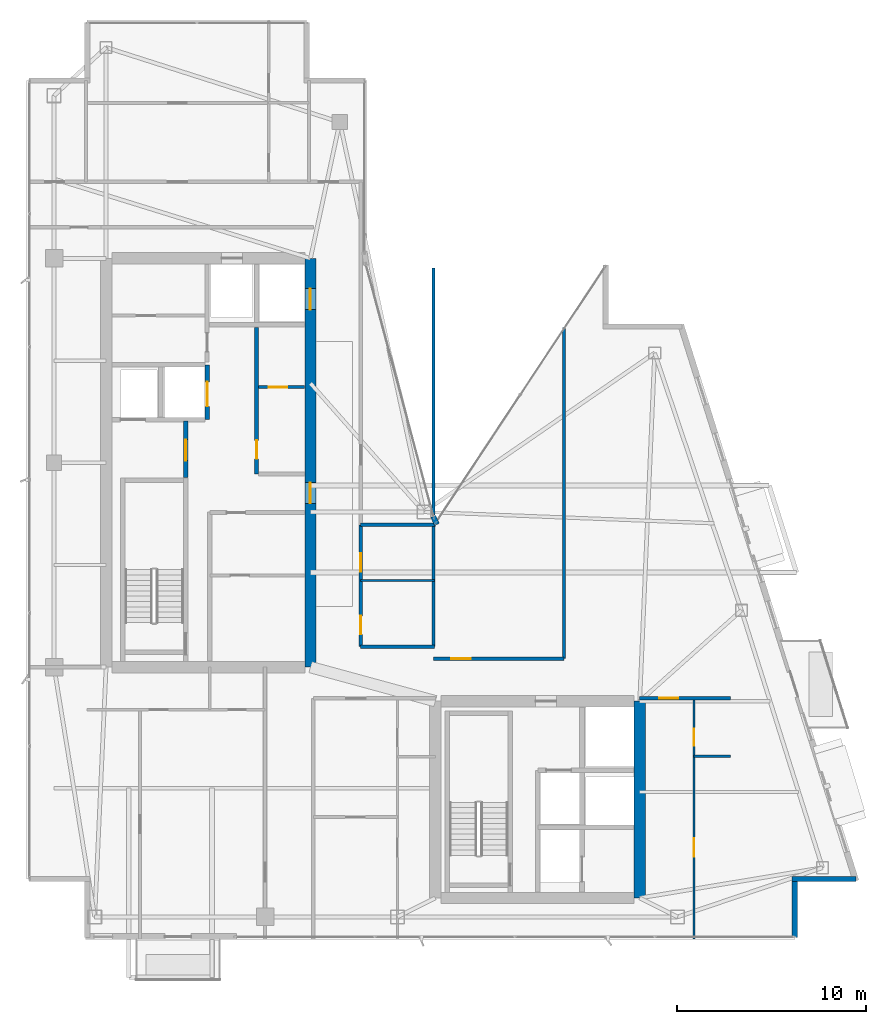
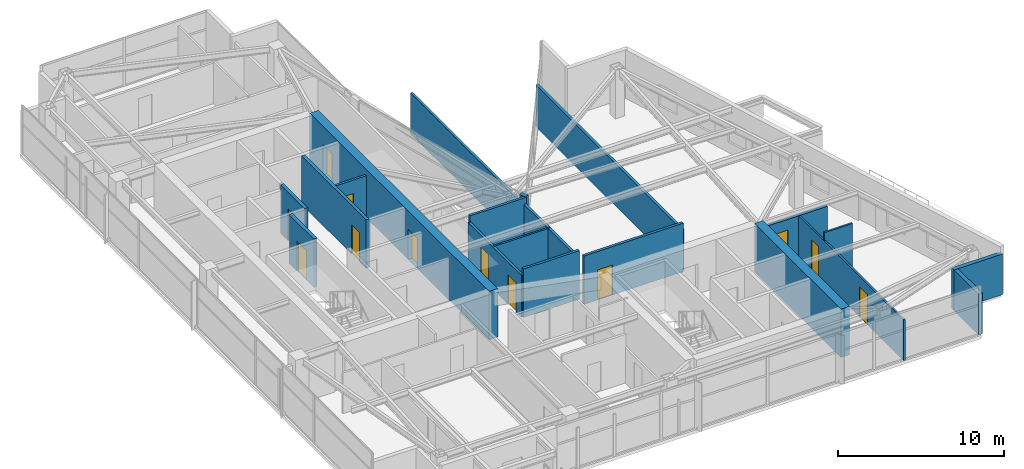
# One storey, part 24 of 28: 20 walls, 12 doors, 12 openings.
"""IFC4 building model written with IfcOpenShell, lengths in metres."""

from ifc_helpers import new_model, si_unit, direction, frame, frame_2d, origin, place, context, subcontext, project, spatial, rectangle, extrude, material, layer, layer_set, type_object, element, fill, save


model = new_model("IFC4")

# Units and contexts
model_context = context("Model", 3, precision=1e-05, world=origin(), true_north=direction((0.0, 1.0)))
body_context = subcontext(model_context, "Body", "Model", "MODEL_VIEW")
ifc_project = project(units=[si_unit("LENGTHUNIT", "METRE"), si_unit("AREAUNIT", "SQUARE_METRE"), si_unit("VOLUMEUNIT", "CUBIC_METRE"), si_unit("PLANEANGLEUNIT", "RADIAN"), si_unit("MASSUNIT", "GRAM", prefix="KILO")], contexts=[model_context])

# Site, building, storey
site_placement = place(None, origin())
site = spatial("IfcSite", under=ifc_project, at=site_placement, CompositionType="ELEMENT")
building_placement = place(site_placement, origin())
building = spatial("IfcBuilding", under=site, at=building_placement, Name="Calvorn Quay Hotel", CompositionType="ELEMENT")
storey_placement = place(building_placement, frame((0.0, 0.0, 274.89990234375)))
storey = spatial("IfcBuildingStorey", under=building, at=storey_placement, Name="L68", CompositionType="ELEMENT", Elevation=274.89990234375)

# Wall, openings, doors
ifc_material_1 = material(Name="Concrete C45", Category="concrete")
ifc_layer_1 = layer(ifc_material_1, 0.60009765625)
ifc_layer_set_1 = layer_set([ifc_layer_1], Name="WL-CORE-600")
wall_type_1 = type_object("IfcWallType", Name="WL-CORE-600", PredefinedType="SHEAR", material=ifc_layer_set_1)
wall_1_placement = place(storey_placement, frame((15.0, 16.800048828125, 0.0), z_axis=(0.0, 0.0, 1.0), x_axis=(0.0, 1.0, 0.0)))
wall_1 = element("IfcWall", 1, at=wall_1_placement, inside=storey, type_object=wall_type_1, Name="West Core Shear Wall E (L68)", PredefinedType="SHEAR", context=body_context, shape_type="SweptSolid", body=[
    extrude(rectangle(XDim=21.599853515625, YDim=0.60009765625, at=frame_2d((10.7998046875, 0.0))), origin(), (0.0, 0.0, 1.0), 3.56005859375),
])
opening_1_placement = place(wall_1_placement, frame((8.64990234375, 0.0, 0.0)))
opening_1 = element("IfcOpeningElement", 2, at=opening_1_placement, cuts=wall_1, Name="Opening D-L68-CW1", PredefinedType="OPENING", context=body_context, shape_type="SweptSolid", body=[
    extrude(rectangle(XDim=1.10009765625, YDim=2.199951171875, at=frame_2d((0.550048828125, 1.10009765625))), frame((0.0, 0.31005859375, 0.0), z_axis=(0.0, -1.0, 0.0), x_axis=(1.0, 0.0, 0.0)), (0.0, 0.0, 1.0), 0.6201171875),
])
opening_2_placement = place(wall_1_placement, frame((18.89990234375, 0.0, 0.0)))
opening_2 = element("IfcOpeningElement", 3, at=opening_2_placement, cuts=wall_1, Name="Opening LD-L68-H1", PredefinedType="OPENING", context=body_context, shape_type="SweptSolid", body=[
    extrude(rectangle(XDim=1.10009765625, YDim=2.199951171875, at=frame_2d((0.550048828125, 1.10009765625))), frame((0.0, 0.31005859375, 0.0), z_axis=(0.0, -1.0, 0.0), x_axis=(1.0, 0.0, 0.0)), (0.0, 0.0, 1.0), 0.6201171875),
])
ifc_material_2 = material(Name="Smoke-Sealed Steel Class A Fire Door", Category="steel")
door_type_1 = type_object("IfcDoorType", Name="DR-FFLOBBY-1100", OperationType="NOTDEFINED", PredefinedType="DOOR", material=ifc_material_2)
door_1_placement = place(opening_1_placement, origin())
door_1 = element("IfcDoor", 4, at=door_1_placement, inside=storey, type_object=door_type_1, Name="West Core Vestibule Fire Door (L68)", OperationType="SINGLE_SWING_LEFT", OverallHeight=2.199951171875, OverallWidth=1.10009765625, PredefinedType="DOOR", context=body_context, shape_type="SweptSolid", body=[
    extrude(rectangle(XDim=1.10009765625, YDim=2.199951171875, at=frame_2d((0.550048828125, 1.10009765625))), frame((0.0, 0.02490234375, 0.0), z_axis=(0.0, -1.0, 0.0), x_axis=(1.0, 0.0, 0.0)), (0.0, 0.0, 1.0), 0.050048828125),
])
fill(opening_1, door_1)
ifc_material_3 = material(Name="Brushed Stainless Steel Sliding Lift Landing Door", Category="steel")
door_type_2 = type_object("IfcDoorType", Name="DR-LIFT-PASS-1100", OperationType="NOTDEFINED", PredefinedType="DOOR", material=ifc_material_3)
door_2_placement = place(opening_2_placement, origin())
door_2 = element("IfcDoor", 5, at=door_2_placement, inside=storey, type_object=door_type_2, Name="High-Rise Lift PL-H1 Landing Door (L68)", OperationType="DOUBLE_DOOR_SLIDING", OverallHeight=2.199951171875, OverallWidth=1.10009765625, PredefinedType="DOOR", context=body_context, shape_type="SweptSolid", body=[
    extrude(rectangle(XDim=1.10009765625, YDim=2.199951171875, at=frame_2d((0.550048828125, 1.10009765625))), frame((0.0, 0.02490234375, 0.0), z_axis=(0.0, -1.0, 0.0), x_axis=(1.0, 0.0, 0.0)), (0.0, 0.0, 1.0), 0.050048828125),
])
fill(opening_2, door_2)

# Walls
wall_2_placement = place(storey_placement, frame((32.39990234375, 4.60009765625, 0.0), z_axis=(0.0, 0.0, 1.0), x_axis=(0.0, 1.0, 0.0)))
element("IfcWall", 6, at=wall_2_placement, inside=storey, type_object=wall_type_1, Name="East Core Shear Wall E (L68)", PredefinedType="SHEAR", context=body_context, shape_type="SweptSolid", body=[
    extrude(rectangle(XDim=10.39990234375, YDim=0.60009765625, at=frame_2d((5.199951171875, 0.0))), origin(), (0.0, 0.0, 1.0), 3.56005859375),
])
ifc_material_4 = material(Name="Acoustic Fireboard Steel-Stud Partition", Category="steel")
ifc_layer_2 = layer(ifc_material_4, 0.179931640625)
ifc_layer_set_2 = layer_set([ifc_layer_2], Name="WL-CORR-FIRE-180")
wall_type_2 = type_object("IfcWallType", Name="WL-CORR-FIRE-180", PredefinedType="PARTITIONING", material=ifc_layer_set_2)
wall_3_placement = place(storey_placement, frame((17.64990234375, 17.8798828125, 0.0), z_axis=(0.0, 0.0, 1.0), x_axis=(1.0, 0.0, 0.0)))
element("IfcWall", 7, at=wall_3_placement, inside=storey, type_object=wall_type_2, Name="Partition Wall L68-WL-HK-S", PredefinedType="PARTITIONING", context=body_context, shape_type="SweptSolid", body=[
    extrude(rectangle(XDim=3.900146484375, YDim=0.179931640625, at=frame_2d((1.9501953125, 0.0))), origin(), (0.0, 0.0, 1.0), 3.56005859375),
])
wall_4_placement = place(storey_placement, frame((17.64990234375, 24.320068359375, 0.0), z_axis=(0.0, 0.0, 1.0), x_axis=(1.0, 0.0, 0.0)))
element("IfcWall", 8, at=wall_4_placement, inside=storey, type_object=wall_type_2, Name="Partition Wall L68-WL-HK-N", PredefinedType="PARTITIONING", context=body_context, shape_type="SweptSolid", body=[
    extrude(rectangle(XDim=3.9501953125, YDim=0.179931640625, at=frame_2d((1.97509765625, 0.0))), origin(), (0.0, 0.0, 1.0), 3.56005859375),
])
wall_5_placement = place(storey_placement, frame((21.5, 17.8798828125, 0.0), z_axis=(0.0, 0.0, 1.0), x_axis=(0.0, 1.0, 0.0)))
element("IfcWall", 9, at=wall_5_placement, inside=storey, type_object=wall_type_2, Name="Partition Wall L68-WL-HK-E", PredefinedType="PARTITIONING", context=body_context, shape_type="SweptSolid", body=[
    extrude(rectangle(XDim=6.440185546875, YDim=0.179931640625, at=frame_2d((3.22021484375, 0.0))), origin(), (0.0, 0.0, 1.0), 3.090087890625),
])

# Wall, openings, doors
wall_6_placement = place(storey_placement, frame((17.64990234375, 17.8798828125, 0.0), z_axis=(0.0, 0.0, 1.0), x_axis=(0.0, 1.0, 0.0)))
wall_6 = element("IfcWall", 10, at=wall_6_placement, inside=storey, type_object=wall_type_2, Name="Partition Wall L68-WL-HK-W", PredefinedType="PARTITIONING", context=body_context, shape_type="SweptSolid", body=[
    extrude(rectangle(XDim=6.440185546875, YDim=0.179931640625, at=frame_2d((3.22021484375, 0.0))), origin(), (0.0, 0.0, 1.0), 3.090087890625),
])
opening_3_placement = place(wall_6_placement, frame((0.64990234375, 0.0, 0.0)))
opening_3 = element("IfcOpeningElement", 11, at=opening_3_placement, cuts=wall_6, Name="Opening D-L68-HK", PredefinedType="OPENING", context=body_context, shape_type="SweptSolid", body=[
    extrude(rectangle(XDim=0.97998046875, YDim=2.14990234375, at=frame_2d((0.489990234375, 1.074951171875))), frame((0.0, 0.099853515625, 0.0), z_axis=(0.0, -1.0, 0.0), x_axis=(1.0, 0.0, 0.0)), (0.0, 0.0, 1.0), 0.199951171875),
])
opening_4_placement = place(wall_6_placement, frame((3.969970703125, 0.0, 0.0)))
opening_4 = element("IfcOpeningElement", 12, at=opening_4_placement, cuts=wall_6, Name="Opening D-L68-NCP", PredefinedType="OPENING", context=body_context, shape_type="SweptSolid", body=[
    extrude(rectangle(XDim=0.9599609375, YDim=2.199951171875, at=frame_2d((0.47998046875, 1.10009765625))), frame((0.0, 0.099853515625, 0.0), z_axis=(0.0, -1.0, 0.0), x_axis=(1.0, 0.0, 0.0)), (0.0, 0.0, 1.0), 0.199951171875),
])
ifc_material_5 = material(Name="Painted Steel Housekeeping/Riser Fire Door", Category="steel")
door_type_3 = type_object("IfcDoorType", Name="DR-SERVICE-980", OperationType="NOTDEFINED", PredefinedType="DOOR", material=ifc_material_5)
door_3_placement = place(opening_3_placement, origin())
door_3 = element("IfcDoor", 13, at=door_3_placement, inside=storey, type_object=door_type_3, Name="Floor Housekeeping Door (L68)", OperationType="SINGLE_SWING_LEFT", OverallHeight=2.14990234375, OverallWidth=0.97998046875, PredefinedType="DOOR", context=body_context, shape_type="SweptSolid", body=[
    extrude(rectangle(XDim=0.97998046875, YDim=2.14990234375, at=frame_2d((0.489990234375, 1.074951171875))), frame((0.0, 0.02490234375, 0.0), z_axis=(0.0, -1.0, 0.0), x_axis=(1.0, 0.0, 0.0)), (0.0, 0.0, 1.0), 0.050048828125),
])
fill(opening_3, door_3)
ifc_material_6 = material(Name="Solid Timber Internal Suite Door", Category="wood")
door_type_4 = type_object("IfcDoorType", Name="DR-SUITE-INT-960", OperationType="NOTDEFINED", PredefinedType="DOOR", material=ifc_material_6)
door_4_placement = place(opening_4_placement, origin())
door_4 = element("IfcDoor", 14, at=door_4_placement, inside=storey, type_object=door_type_4, Name="Reading Alcove Door (L68)", OperationType="SINGLE_SWING_RIGHT", OverallHeight=2.199951171875, OverallWidth=0.9599609375, PredefinedType="DOOR", context=body_context, shape_type="SweptSolid", body=[
    extrude(rectangle(XDim=0.9599609375, YDim=2.199951171875, at=frame_2d((0.47998046875, 1.10009765625))), frame((0.0, 0.02490234375, 0.0), z_axis=(0.0, -1.0, 0.0), x_axis=(1.0, 0.0, 0.0)), (0.0, 0.0, 1.0), 0.050048828125),
])
fill(opening_4, door_4)

# Wall, opening, door
wall_7_placement = place(storey_placement, frame((32.39990234375, 15.14990234375, 0.0), z_axis=(0.0, 0.0, 1.0), x_axis=(1.0, 0.0, 0.0)))
wall_7 = element("IfcWall", 15, at=wall_7_placement, inside=storey, type_object=wall_type_2, Name="Partition Wall L68-WL-CORR-SE-S", PredefinedType="PARTITIONING", context=body_context, shape_type="SweptSolid", body=[
    extrude(rectangle(XDim=4.800048828125, YDim=0.179931640625, at=frame_2d((2.39990234375, 0.0))), origin(), (0.0, 0.0, 1.0), 2.989990234375),
])
opening_5_placement = place(wall_7_placement, frame((1.030029296875, 0.0, 0.0)))
opening_5 = element("IfcOpeningElement", 16, at=opening_5_placement, cuts=wall_7, Name="Opening D-L68-U04", PredefinedType="OPENING", context=body_context, shape_type="SweptSolid", body=[
    extrude(rectangle(XDim=1.02001953125, YDim=2.199951171875, at=frame_2d((0.510009765625, 1.10009765625))), frame((0.0, 0.099853515625, 0.0), z_axis=(0.0, -1.0, 0.0), x_axis=(1.0, 0.0, 0.0)), (0.0, 0.0, 1.0), 0.199951171875),
])
ifc_material_7 = material(Name="Solid-Core Walnut Veneer Hotel Fire Door")
door_type_5 = type_object("IfcDoorType", Name="DR-GUEST-ENTRY-1020", OperationType="NOTDEFINED", PredefinedType="DOOR", material=ifc_material_7)
door_5_placement = place(opening_5_placement, origin())
door_5 = element("IfcDoor", 17, at=door_5_placement, inside=storey, type_object=door_type_5, Name="South-East Unit Door U04 (L68)", OperationType="SINGLE_SWING_LEFT", OverallHeight=2.199951171875, OverallWidth=1.02001953125, PredefinedType="DOOR", context=body_context, shape_type="SweptSolid", body=[
    extrude(rectangle(XDim=1.02001953125, YDim=2.199951171875, at=frame_2d((0.510009765625, 1.10009765625))), frame((0.0, 0.02490234375, 0.0), z_axis=(0.0, -1.0, 0.0), x_axis=(1.0, 0.0, 0.0)), (0.0, 0.0, 1.0), 0.050048828125),
])
fill(opening_5, door_5)

wall_8_placement = place(storey_placement, frame((21.5, 17.25, 0.0), z_axis=(0.0, 0.0, 1.0), x_axis=(1.0, 0.0, 0.0)))
wall_8 = element("IfcWall", 18, at=wall_8_placement, inside=storey, type_object=wall_type_2, Name="Partition Wall L68-WL-CORR-NE-N", PredefinedType="PARTITIONING", context=body_context, shape_type="SweptSolid", body=[
    extrude(rectangle(XDim=6.89990234375, YDim=0.179931640625, at=frame_2d((3.449951171875, 0.0))), origin(), (0.0, 0.0, 1.0), 3.56005859375),
])
opening_6_placement = place(wall_8_placement, frame((0.949951171875, 0.0, 0.0)))
opening_6 = element("IfcOpeningElement", 19, at=opening_6_placement, cuts=wall_8, Name="Opening D-L68-NS1", PredefinedType="OPENING", context=body_context, shape_type="SweptSolid", body=[
    extrude(rectangle(XDim=1.02001953125, YDim=2.199951171875, at=frame_2d((0.510009765625, 1.10009765625))), frame((0.0, 0.099853515625, 0.0), z_axis=(0.0, -1.0, 0.0), x_axis=(1.0, 0.0, 0.0)), (0.0, 0.0, 1.0), 0.199951171875),
])
door_6_placement = place(opening_6_placement, origin())
door_6 = element("IfcDoor", 20, at=door_6_placement, inside=storey, type_object=door_type_5, Name="Conservatory Salon Door 1 (L68)", OperationType="SINGLE_SWING_RIGHT", OverallHeight=2.199951171875, OverallWidth=1.02001953125, PredefinedType="DOOR", context=body_context, shape_type="SweptSolid", body=[
    extrude(rectangle(XDim=1.02001953125, YDim=2.199951171875, at=frame_2d((0.510009765625, 1.10009765625))), frame((0.0, 0.02490234375, 0.0), z_axis=(0.0, -1.0, 0.0), x_axis=(1.0, 0.0, 0.0)), (0.0, 0.0, 1.0), 0.050048828125),
])
fill(opening_6, door_6)

# Walls
wall_9_placement = place(storey_placement, frame((28.39990234375, 17.25, 0.0), z_axis=(0.0, 0.0, 1.0), x_axis=(0.0, 1.0, 0.0)))
element("IfcWall", 21, at=wall_9_placement, inside=storey, type_object=wall_type_2, Name="Partition Wall L68-WL-NE-END-E", PredefinedType="PARTITIONING", context=body_context, shape_type="SweptSolid", body=[
    extrude(rectangle(XDim=17.510009765625, YDim=0.179931640625, at=frame_2d((8.7548828125, 0.0))), origin(), (0.0, 0.0, 1.0), 3.090087890625),
])
ifc_material_8 = material(Name="Moisture-Resistant Tile-Backed Partition")
ifc_layer_3 = layer(ifc_material_8, 0.125)
ifc_layer_set_3 = layer_set([ifc_layer_3], Name="WL-ENSUITE-125")
wall_type_3 = type_object("IfcWallType", Name="WL-ENSUITE-125", PredefinedType="PARTITIONING", material=ifc_layer_set_3)
wall_10_placement = place(storey_placement, frame((17.64990234375, 21.3798828125, 0.0), z_axis=(0.0, 0.0, 1.0), x_axis=(1.0, 0.0, 0.0)))
element("IfcWall", 22, at=wall_10_placement, inside=storey, type_object=wall_type_3, Name="Partition Wall L68-WL-HK-M", PredefinedType="PARTITIONING", context=body_context, shape_type="SweptSolid", body=[
    extrude(rectangle(XDim=3.900146484375, YDim=0.125, at=frame_2d((1.9501953125, 0.0))), origin(), (0.0, 0.0, 1.0), 3.090087890625),
])
wall_11_placement = place(storey_placement, frame((35.27001953125, 12.10009765625, 0.0), z_axis=(0.0, 0.0, 1.0), x_axis=(1.0, 0.0, 0.0)))
element("IfcWall", 23, at=wall_11_placement, inside=storey, type_object=wall_type_3, Name="Partition Wall L68-WL-U04-BDV", PredefinedType="PARTITIONING", context=body_context, shape_type="SweptSolid", body=[
    extrude(rectangle(XDim=1.929931640625, YDim=0.125, at=frame_2d((0.96484375, 0.0))), origin(), (0.0, 0.0, 1.0), 3.56005859375),
])

# Wall, openings, doors
wall_12_placement = place(storey_placement, frame((35.27001953125, 2.43994140625, 0.0), z_axis=(0.0, 0.0, 1.0), x_axis=(0.0, 1.0, 0.0)))
wall_12 = element("IfcWall", 24, at=wall_12_placement, inside=storey, type_object=wall_type_3, Name="Partition Wall L68-WL-U04-BV", PredefinedType="PARTITIONING", context=body_context, shape_type="SweptSolid", body=[
    extrude(rectangle(XDim=12.7099609375, YDim=0.125, at=frame_2d((6.35498046875, 0.0))), origin(), (0.0, 0.0, 1.0), 2.989990234375),
])
opening_7_placement = place(wall_12_placement, frame((4.35009765625, 0.0, 0.0)))
opening_7 = element("IfcOpeningElement", 25, at=opening_7_placement, cuts=wall_12, Name="Opening D-L68-S04", PredefinedType="OPENING", context=body_context, shape_type="SweptSolid", body=[
    extrude(rectangle(XDim=0.9599609375, YDim=2.199951171875, at=frame_2d((0.47998046875, 1.10009765625))), frame((0.0, 0.072509765625, 0.0), z_axis=(0.0, -1.0, 0.0), x_axis=(1.0, 0.0, 0.0)), (0.0, 0.0, 1.0), 0.14501953125),
])
opening_8_placement = place(wall_12_placement, frame((10.2099609375, 0.0, 0.0)))
opening_8 = element("IfcOpeningElement", 26, at=opening_8_placement, cuts=wall_12, Name="Opening D-L68-E04", PredefinedType="OPENING", context=body_context, shape_type="SweptSolid", body=[
    extrude(rectangle(XDim=0.89990234375, YDim=2.14990234375, at=frame_2d((0.449951171875, 1.074951171875))), frame((0.0, 0.072509765625, 0.0), z_axis=(0.0, -1.0, 0.0), x_axis=(1.0, 0.0, 0.0)), (0.0, 0.0, 1.0), 0.14501953125),
])
ifc_material_9 = material(Name="Moisture-Sealed Timber En-Suite Door", Category="wood")
door_type_6 = type_object("IfcDoorType", Name="DR-ENSUITE-900", OperationType="NOTDEFINED", PredefinedType="DOOR", material=ifc_material_9)
door_7_placement = place(opening_8_placement, origin())
door_7 = element("IfcDoor", 27, at=door_7_placement, inside=storey, type_object=door_type_6, Name="En-Suite Door 04", OperationType="SINGLE_SWING_RIGHT", OverallHeight=2.14990234375, OverallWidth=0.89990234375, PredefinedType="DOOR", context=body_context, shape_type="SweptSolid", body=[
    extrude(rectangle(XDim=0.89990234375, YDim=2.14990234375, at=frame_2d((0.449951171875, 1.074951171875))), frame((0.0, 0.02490234375, 0.0), z_axis=(0.0, -1.0, 0.0), x_axis=(1.0, 0.0, 0.0)), (0.0, 0.0, 1.0), 0.050048828125),
])
fill(opening_8, door_7)
door_8_placement = place(opening_7_placement, origin())
door_8 = element("IfcDoor", 28, at=door_8_placement, inside=storey, type_object=door_type_4, Name="Executive Study Door 04", OperationType="SINGLE_SWING_LEFT", OverallHeight=2.199951171875, OverallWidth=0.9599609375, PredefinedType="DOOR", context=body_context, shape_type="SweptSolid", body=[
    extrude(rectangle(XDim=0.9599609375, YDim=2.199951171875, at=frame_2d((0.47998046875, 1.10009765625))), frame((0.0, 0.02490234375, 0.0), z_axis=(0.0, -1.0, 0.0), x_axis=(1.0, 0.0, 0.0)), (0.0, 0.0, 1.0), 0.050048828125),
])
fill(opening_7, door_8)

# Walls
ifc_material_10 = material(Name="Concrete C40", Category="concrete")
ifc_layer_4 = layer(ifc_material_10, 0.320068359375)
ifc_layer_set_4 = layer_set([ifc_layer_4], Name="WL-EXT-SPANDREL-320")
wall_type_4 = type_object("IfcWallType", Name="WL-EXT-SPANDREL-320", PredefinedType="SOLIDWALL", material=ifc_layer_set_4)
wall_13_placement = place(storey_placement, frame((21.679931640625, 24.340087890625, 0.0), z_axis=(0.0, 0.0, 1.0), x_axis=(-0.40758134973, 0.913168901875, 0.0)))
element("IfcWall", 29, at=wall_13_placement, inside=storey, type_object=wall_type_4, Name="Inner Court Corner Pier L68-ICJ1", PredefinedType="SOLIDWALL", context=body_context, shape_type="SweptSolid", body=[
    extrude(rectangle(XDim=0.470703125, YDim=0.280029296875, at=frame_2d((0.2353515625, 0.0))), origin(), (0.0, 0.0, 1.0), 3.56005859375),
])
wall_14_placement = place(storey_placement, frame((40.60009765625, 2.52001953125, 0.0), z_axis=(0.0, 0.0, 1.0), x_axis=(0.0, 1.0, 0.0)))
element("IfcWall", 30, at=wall_14_placement, inside=storey, type_object=wall_type_4, Name="Notched Corner Spandrel L68-SE1", PredefinedType="SOLIDWALL", context=body_context, shape_type="SweptSolid", body=[
    extrude(rectangle(XDim=2.93994140625, YDim=0.280029296875, at=frame_2d((1.469970703125, 0.0))), origin(), (0.0, 0.0, 1.0), 2.989990234375),
])
wall_15_placement = place(storey_placement, frame((40.4599609375, 5.60009765625, 0.0), z_axis=(0.0, 0.0, 1.0), x_axis=(1.0, 0.0, 0.0)))
element("IfcWall", 31, at=wall_15_placement, inside=storey, type_object=wall_type_4, Name="Notched Corner Spandrel L68-SE2", PredefinedType="SOLIDWALL", context=body_context, shape_type="SweptSolid", body=[
    extrude(rectangle(XDim=3.380126953125, YDim=0.280029296875, at=frame_2d((1.68994140625, 0.0))), origin(), (0.0, 0.0, 1.0), 2.989990234375),
])

# Wall, opening, door
ifc_material_11 = material(Name="Double-Stud Acoustic Gypsum Partition")
ifc_layer_5 = layer(ifc_material_11, 0.159912109375)
ifc_layer_set_5 = layer_set([ifc_layer_5], Name="WL-INTERSUITE-160")
wall_type_5 = type_object("IfcWallType", Name="WL-INTERSUITE-160", PredefinedType="PARTITIONING", material=ifc_layer_set_5)
wall_16_placement = place(storey_placement, frame((12.25, 31.60009765625, 0.0), z_axis=(0.0, 0.0, 1.0), x_axis=(1.0, 0.0, 0.0)))
wall_16 = element("IfcWall", 32, at=wall_16_placement, inside=storey, type_object=wall_type_5, Name="Partition Wall L68-WL-CWW-FM-SPLIT", PredefinedType="PARTITIONING", context=body_context, shape_type="SweptSolid", body=[
    extrude(rectangle(XDim=2.429931640625, YDim=0.159912109375, at=frame_2d((1.21484375, 0.0))), origin(), (0.0, 0.0, 1.0), 3.14013671875),
])
opening_9_placement = place(wall_16_placement, frame((0.550048828125, 0.0, 0.0)))
opening_9 = element("IfcOpeningElement", 33, at=opening_9_placement, cuts=wall_16, Name="Opening D-L68-FM2", PredefinedType="OPENING", context=body_context, shape_type="SweptSolid", body=[
    extrude(rectangle(XDim=0.97998046875, YDim=2.14990234375, at=frame_2d((0.489990234375, 1.074951171875))), frame((0.0, 0.08984375, 0.0), z_axis=(0.0, -1.0, 0.0), x_axis=(1.0, 0.0, 0.0)), (0.0, 0.0, 1.0), 0.179931640625),
])
door_9_placement = place(opening_9_placement, origin())
door_9 = element("IfcDoor", 34, at=door_9_placement, inside=storey, type_object=door_type_3, Name="Comms Room Door (L68)", OperationType="SINGLE_SWING_LEFT", OverallHeight=2.14990234375, OverallWidth=0.97998046875, PredefinedType="DOOR", context=body_context, shape_type="SweptSolid", body=[
    extrude(rectangle(XDim=0.97998046875, YDim=2.14990234375, at=frame_2d((0.489990234375, 1.074951171875))), frame((0.0, 0.02490234375, 0.0), z_axis=(0.0, -1.0, 0.0), x_axis=(1.0, 0.0, 0.0)), (0.0, 0.0, 1.0), 0.050048828125),
])
fill(opening_9, door_9)

# Wall
wall_17_placement = place(storey_placement, frame((21.5, 24.85009765625, 0.0), z_axis=(0.0, 0.0, 1.0), x_axis=(0.0, 1.0, 0.0)))
element("IfcWall", 35, at=wall_17_placement, inside=storey, type_object=wall_type_5, Name="Partition Wall L68-WL-NC-UPPER-E", PredefinedType="PARTITIONING", context=body_context, shape_type="SweptSolid", body=[
    extrude(rectangle(XDim=13.0498046875, YDim=0.159912109375, at=frame_2d((6.52490234375, 0.0))), origin(), (0.0, 0.0, 1.0), 2.989990234375),
])

# Wall, opening, door
ifc_material_12 = material(Name="Autoclaved Aerated Masonry Block", Category="masonry")
ifc_layer_6 = layer(ifc_material_12, 0.219970703125)
ifc_layer_set_6 = layer_set([ifc_layer_6], Name="WL-LOBBY-FIRE-220")
wall_type_6 = type_object("IfcWallType", Name="WL-LOBBY-FIRE-220", PredefinedType="SOLIDWALL", material=ifc_layer_set_6)
wall_18_placement = place(storey_placement, frame((12.14990234375, 27.0, 0.0), z_axis=(0.0, 0.0, 1.0), x_axis=(0.0, 1.0, 0.0)))
wall_18 = element("IfcWall", 36, at=wall_18_placement, inside=storey, type_object=wall_type_6, Name="Partition Wall L68-WL-CWW-FM-W", PredefinedType="SOLIDWALL", context=body_context, shape_type="SweptSolid", body=[
    extrude(rectangle(XDim=7.75, YDim=0.219970703125, at=frame_2d((3.875, 0.0))), origin(), (0.0, 0.0, 1.0), 3.56005859375),
])
opening_10_placement = place(wall_18_placement, frame((0.800048828125, 0.0, 0.0)))
opening_10 = element("IfcOpeningElement", 37, at=opening_10_placement, cuts=wall_18, Name="Opening D-L68-FM1", PredefinedType="OPENING", context=body_context, shape_type="SweptSolid", body=[
    extrude(rectangle(XDim=0.97998046875, YDim=2.14990234375, at=frame_2d((0.489990234375, 1.074951171875))), frame((0.0, 0.119873046875, 0.0), z_axis=(0.0, -1.0, 0.0), x_axis=(1.0, 0.0, 0.0)), (0.0, 0.0, 1.0), 0.239990234375),
])
door_10_placement = place(opening_10_placement, origin())
door_10 = element("IfcDoor", 38, at=door_10_placement, inside=storey, type_object=door_type_3, Name="Butler Pantry Door (L68)", OperationType="SINGLE_SWING_RIGHT", OverallHeight=2.14990234375, OverallWidth=0.97998046875, PredefinedType="DOOR", context=body_context, shape_type="SweptSolid", body=[
    extrude(rectangle(XDim=0.97998046875, YDim=2.14990234375, at=frame_2d((0.489990234375, 1.074951171875))), frame((0.0, 0.02490234375, 0.0), z_axis=(0.0, -1.0, 0.0), x_axis=(1.0, 0.0, 0.0)), (0.0, 0.0, 1.0), 0.050048828125),
])
fill(opening_10, door_10)

ifc_material_13 = material(Name="Concrete C40", Category="concrete")
ifc_layer_7 = layer(ifc_material_13, 0.239990234375)
ifc_layer_set_7 = layer_set([ifc_layer_7], Name="WL-SHAFT-240")
wall_type_7 = type_object("IfcWallType", Name="WL-SHAFT-240", PredefinedType="SOLIDWALL", material=ifc_layer_set_7)
wall_19_placement = place(storey_placement, frame((8.419921875, 26.820068359375, 0.0), z_axis=(0.0, 0.0, 1.0), x_axis=(0.0, 1.0, 0.0)))
wall_19 = element("IfcWall", 39, at=wall_19_placement, inside=storey, type_object=wall_type_7, Name="Partition Wall L68-WL-CWW-FFL-E", PredefinedType="SOLIDWALL", context=body_context, shape_type="SweptSolid", body=[
    extrude(rectangle(XDim=3.0, YDim=0.239990234375, at=frame_2d((1.5, 0.0))), origin(), (0.0, 0.0, 1.0), 3.56005859375),
])
opening_11_placement = place(wall_19_placement, frame((0.89990234375, 0.0, 0.0)))
opening_11 = element("IfcOpeningElement", 40, at=opening_11_placement, cuts=wall_19, Name="Opening D-L68-FLW", PredefinedType="OPENING", context=body_context, shape_type="SweptSolid", body=[
    extrude(rectangle(XDim=1.10009765625, YDim=2.199951171875, at=frame_2d((0.550048828125, 1.10009765625))), frame((0.0, 0.1298828125, 0.0), z_axis=(0.0, -1.0, 0.0), x_axis=(1.0, 0.0, 0.0)), (0.0, 0.0, 1.0), 0.260009765625),
])
door_11_placement = place(opening_11_placement, origin())
door_11 = element("IfcDoor", 41, at=door_11_placement, inside=storey, type_object=door_type_1, Name="West Firefighting Lobby Fire Door (L68)", OperationType="SINGLE_SWING_RIGHT", OverallHeight=2.199951171875, OverallWidth=1.10009765625, PredefinedType="DOOR", context=body_context, shape_type="SweptSolid", body=[
    extrude(rectangle(XDim=1.10009765625, YDim=2.199951171875, at=frame_2d((0.550048828125, 1.10009765625))), frame((0.0, 0.02490234375, 0.0), z_axis=(0.0, -1.0, 0.0), x_axis=(1.0, 0.0, 0.0)), (0.0, 0.0, 1.0), 0.050048828125),
])
fill(opening_11, door_11)

wall_20_placement = place(storey_placement, frame((9.5400390625, 29.8798828125, 0.0), z_axis=(0.0, 0.0, 1.0), x_axis=(0.0, 1.0, 0.0)))
wall_20 = element("IfcWall", 42, at=wall_20_placement, inside=storey, type_object=wall_type_7, Name="Partition Wall L68-WL-CWW-SLW-E", PredefinedType="SOLIDWALL", context=body_context, shape_type="SweptSolid", body=[
    extrude(rectangle(XDim=2.900146484375, YDim=0.239990234375, at=frame_2d((1.4501953125, 0.0))), origin(), (0.0, 0.0, 1.0), 3.56005859375),
])
opening_12_placement = place(wall_20_placement, frame((0.699951171875, 0.0, 0.0)))
opening_12 = element("IfcOpeningElement", 43, at=opening_12_placement, cuts=wall_20, Name="Opening LD-L68-SLW1", PredefinedType="OPENING", context=body_context, shape_type="SweptSolid", body=[
    extrude(rectangle(XDim=1.300048828125, YDim=2.35009765625, at=frame_2d((0.64990234375, 1.175048828125))), frame((0.0, 0.1298828125, 0.0), z_axis=(0.0, -1.0, 0.0), x_axis=(1.0, 0.0, 0.0)), (0.0, 0.0, 1.0), 0.260009765625),
])
ifc_material_14 = material(Name="Champagne-Bronze Sliding Express Lift Landing Door")
door_type_7 = type_object("IfcDoorType", Name="DR-LIFT-SHUTTLE-1300", OperationType="NOTDEFINED", PredefinedType="DOOR", material=ifc_material_14)
door_12_placement = place(opening_12_placement, origin())
door_12 = element("IfcDoor", 44, at=door_12_placement, inside=storey, type_object=door_type_7, Name="Service Lift SL-W1 Landing Door (L68)", OperationType="DOUBLE_DOOR_SLIDING", OverallHeight=2.35009765625, OverallWidth=1.300048828125, PredefinedType="DOOR", context=body_context, shape_type="SweptSolid", body=[
    extrude(rectangle(XDim=1.300048828125, YDim=2.35009765625, at=frame_2d((0.64990234375, 1.175048828125))), frame((0.0, 0.02490234375, 0.0), z_axis=(0.0, -1.0, 0.0), x_axis=(1.0, 0.0, 0.0)), (0.0, 0.0, 1.0), 0.050048828125),
])
fill(opening_12, door_12)

save(model, "model.ifc")
